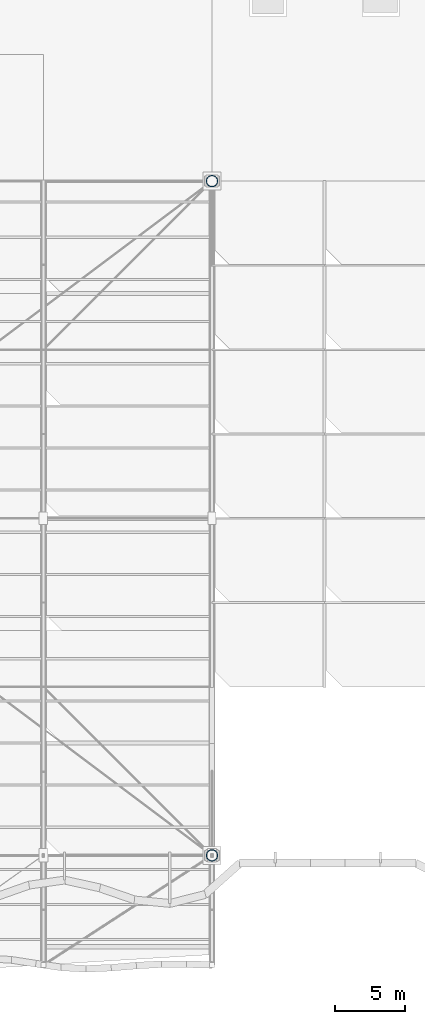
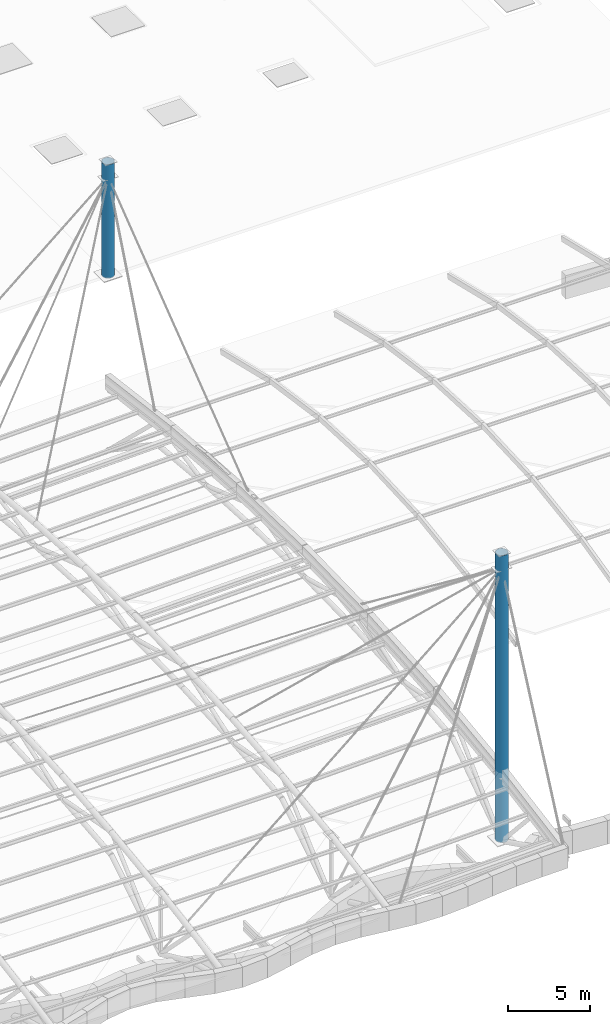
# One storey, part 2 of 29: 2 columns.
"""IFC4 building model written with IfcOpenShell, lengths in metres."""

from ifc_helpers import new_model, si_unit, direction, frame, origin, origin_2d, place, context, subcontext, project, spatial, hollow_circle, extrude, material, material_profile, profile_set, type_object, element, save


model = new_model("IFC4")

# Units and contexts
model_context = context("Model", 3, precision=1e-05, world=origin(), true_north=direction((0.0, 1.0)))
body_context = subcontext(model_context, "Body", "Model", "MODEL_VIEW")
ifc_project = project(units=[si_unit("LENGTHUNIT", "METRE"), si_unit("AREAUNIT", "SQUARE_METRE"), si_unit("VOLUMEUNIT", "CUBIC_METRE"), si_unit("PLANEANGLEUNIT", "RADIAN"), si_unit("MASSUNIT", "GRAM", prefix="KILO")], contexts=[model_context])

# Site, building, storey
site_placement = place(None, origin())
site = spatial("IfcSite", under=ifc_project, at=site_placement, CompositionType="ELEMENT")
building_placement = place(site_placement, origin())
building = spatial("IfcBuilding", under=site, at=building_placement, Name="Keelwater Ferry Terminal", CompositionType="ELEMENT")
storey_placement = place(building_placement, frame((0.0, 0.0, 27.89990234375)))
storey = spatial("IfcBuildingStorey", under=building, at=storey_placement, Name="RF", CompositionType="ELEMENT", Elevation=27.89990234375)

# Columns
ifc_material_1 = material(Name="Steel S355", Category="steel")
ifc_material_profile_1 = material_profile(ifc_material_1, hollow_circle(Radius=0.406494140625, WallThickness=0.02490234375, at=origin_2d()), Name="CHS 813x25")
ifc_profile_set_1 = profile_set([ifc_material_profile_1], Name="Steel S355")
column_type_1 = type_object("IfcColumnType", Name="ML3 CHS 813x25", PredefinedType="COLUMN", material=ifc_profile_set_1)
column_1_placement = place(storey_placement, frame((132.0, 42.0, -12.89990234375), z_axis=(0.0, 0.0, 1.0), x_axis=(1.0, 0.0, 0.0)))
element("IfcColumn", 1, at=column_1_placement, inside=storey, type_object=column_type_1, Name="Roof Mast ML3", PredefinedType="COLUMN", context=body_context, shape_type="SweptSolid", body=[
    extrude(hollow_circle(Radius=0.406494140625, WallThickness=0.02490234375, at=origin_2d()), origin(), (0.0, 0.0, 1.0), 21.364990234375),
])
ifc_material_2 = material(Name="Steel S355", Category="steel")
ifc_material_profile_2 = material_profile(ifc_material_2, hollow_circle(Radius=0.406494140625, WallThickness=0.02490234375, at=origin_2d()), Name="CHS 813x25")
ifc_profile_set_2 = profile_set([ifc_material_profile_2], Name="Steel S355")
column_type_2 = type_object("IfcColumnType", Name="ML4 CHS 813x25", PredefinedType="COLUMN", material=ifc_profile_set_2)
column_2_placement = place(storey_placement, frame((132.0, 90.0, 0.0), z_axis=(0.0, 0.0, 1.0), x_axis=(1.0, 0.0, 0.0)))
element("IfcColumn", 2, at=column_2_placement, inside=storey, type_object=column_type_2, Name="Roof Mast ML4", PredefinedType="COLUMN", context=body_context, shape_type="SweptSolid", body=[
    extrude(hollow_circle(Radius=0.406494140625, WallThickness=0.02490234375, at=origin_2d()), origin(), (0.0, 0.0, 1.0), 8.465087890625),
])

save(model, "model.ifc")
